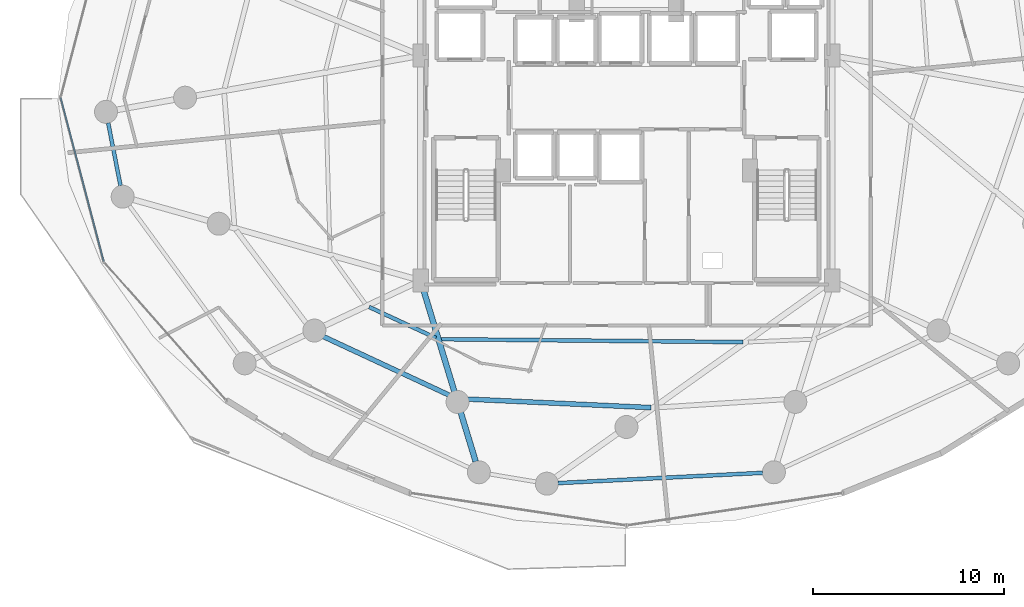
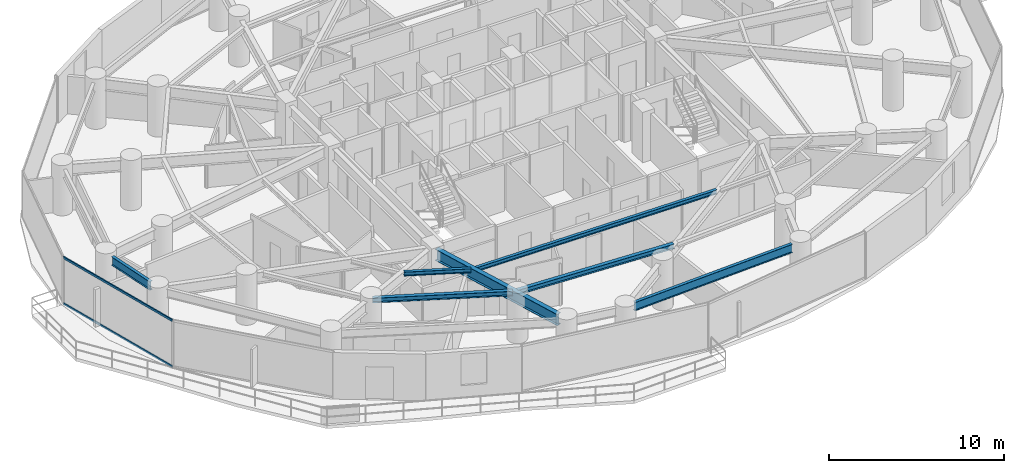
# One storey, part 6 of 30: 7 beams, 2 members, 1 element without a shape of its own.
"""IFC4 building model written with IfcOpenShell, lengths in metres."""

from ifc_helpers import new_model, si_unit, direction, frame, origin, origin_2d, place, context, subcontext, project, spatial, hollow_rectangle, i_section, extrude, material, material_profile, profile_set, type_object, element, aggregate, save


model = new_model("IFC4")

# Units and contexts
model_context = context("Model", 3, precision=1e-05, world=origin(), true_north=direction((0.0, 1.0)))
body_context = subcontext(model_context, "Body", "Model", "MODEL_VIEW")
ifc_project = project(units=[si_unit("LENGTHUNIT", "METRE"), si_unit("AREAUNIT", "SQUARE_METRE"), si_unit("VOLUMEUNIT", "CUBIC_METRE"), si_unit("PLANEANGLEUNIT", "RADIAN"), si_unit("MASSUNIT", "GRAM", prefix="KILO")], contexts=[model_context])

# Site, building, storey
site_placement = place(None, origin())
site = spatial("IfcSite", under=ifc_project, at=site_placement, CompositionType="ELEMENT")
building_placement = place(site_placement, origin())
building = spatial("IfcBuilding", under=site, at=building_placement, Name="Vorneva Point Tower", CompositionType="ELEMENT")
storey_placement = place(building_placement, frame((0.0, 0.0, 55.5)))
storey = spatial("IfcBuildingStorey", under=building, at=storey_placement, Name="L14", CompositionType="ELEMENT", Elevation=55.5)

# Beams
ifc_material_1 = material(Name="Steel S355", Category="steel")
ifc_material_profile_1 = material_profile(ifc_material_1, i_section(OverallWidth=0.300048828125, OverallDepth=0.7880859375, WebThickness=0.014404296875, FlangeThickness=0.02197265625, at=origin_2d()), Name="80Sh1")
ifc_profile_set_1 = profile_set([ifc_material_profile_1], Name="Steel S355")
beam_type_1 = type_object("IfcBeamType", Name="BM-GRD-80Sh1", PredefinedType="USERDEFINED", material=ifc_profile_set_1)
beam_1_placement = place(storey_placement, frame((30.125732421875, 6.997802734375, 2.845947265625), z_axis=(-0.29105061459, 0.956707656365, 0.0), x_axis=(-0.956707656365, -0.29105061459, 0.0)))
element("IfcBeam", 1, at=beam_1_placement, inside=storey, type_object=beam_type_1, Name="L14 Radial Primary Girder 12", ObjectType="GIRDER", PredefinedType="USERDEFINED", context=body_context, shape_type="SweptSolid", body=[
    extrude(i_section(OverallWidth=0.300048828125, OverallDepth=0.7880859375, WebThickness=0.014404296875, FlangeThickness=0.02197265625, at=origin_2d()), origin(), (0.0, 0.0, 1.0), 9.5400390625),
])
ifc_material_profile_2 = material_profile(ifc_material_1, i_section(OverallWidth=0.199951171875, OverallDepth=0.291015625, WebThickness=0.008056640625, FlangeThickness=0.010986328125, at=origin_2d()), Name="30Sh1")
ifc_profile_set_2 = profile_set([ifc_material_profile_2], Name="Steel S355")
beam_type_2 = type_object("IfcBeamType", Name="BM-SEC-30Sh1", PredefinedType="BEAM", material=ifc_profile_set_2)
beam_2_placement = place(storey_placement, frame((24.562744140625, 15.06787109375, 3.094482421875), z_axis=(0.906908671886, -0.421327260996, 0.0), x_axis=(0.421327260996, 0.906908671886, 0.0)))
element("IfcBeam", 2, at=beam_2_placement, inside=storey, type_object=beam_type_2, Name="L14 Secondary Floor Beam 2.11", PredefinedType="BEAM", context=body_context, shape_type="SweptSolid", body=[
    extrude(i_section(OverallWidth=0.199951171875, OverallDepth=0.291015625, WebThickness=0.008056640625, FlangeThickness=0.010986328125, at=origin_2d()), origin(), (0.0, 0.0, 1.0), 3.852783203125),
])
beam_3_placement = place(storey_placement, frame((28.320068359375, 13.38525390625, 3.094482421875), z_axis=(0.999953186731, -0.009675967514, 0.0), x_axis=(0.009675967514, 0.999953186731, 0.0)))
element("IfcBeam", 3, at=beam_3_placement, inside=storey, type_object=beam_type_2, Name="L14 Secondary Floor Beam 2.12", PredefinedType="BEAM", context=body_context, shape_type="SweptSolid", body=[
    extrude(i_section(OverallWidth=0.199951171875, OverallDepth=0.291015625, WebThickness=0.008056640625, FlangeThickness=0.010986328125, at=origin_2d()), origin(), (0.0, 0.0, 1.0), 15.769775390625),
])
ifc_material_profile_3 = material_profile(ifc_material_1, i_section(OverallWidth=0.2490234375, OverallDepth=0.333984375, WebThickness=0.008056640625, FlangeThickness=0.010986328125, at=origin_2d()), Name="35Sh1")
ifc_profile_set_3 = profile_set([ifc_material_profile_3], Name="Steel S355")
beam_type_3 = type_object("IfcBeamType", Name="BM-SEC-35Sh1", PredefinedType="BEAM", material=ifc_profile_set_3)
beam_4_placement = place(storey_placement, frame((21.72412109375, 13.731201171875, 3.072998046875), z_axis=(0.906496779904, -0.4222127284, 0.0), x_axis=(0.4222127284, 0.906496779904, 0.0)))
element("IfcBeam", 4, at=beam_4_placement, inside=storey, type_object=beam_type_3, Name="L14 Secondary Floor Beam 1.11", PredefinedType="BEAM", context=body_context, shape_type="SweptSolid", body=[
    extrude(i_section(OverallWidth=0.2490234375, OverallDepth=0.333984375, WebThickness=0.008056640625, FlangeThickness=0.010986328125, at=origin_2d()), origin(), (0.0, 0.0, 1.0), 8.02783203125),
])
beam_5_placement = place(storey_placement, frame((29.263916015625, 10.277099609375, 3.072998046875), z_axis=(0.998927512938, -0.046301445934, 0.0), x_axis=(0.046301445934, 0.998927512938, 0.0)))
element("IfcBeam", 5, at=beam_5_placement, inside=storey, type_object=beam_type_3, Name="L14 Secondary Floor Beam 1.12", PredefinedType="BEAM", context=body_context, shape_type="SweptSolid", body=[
    extrude(i_section(OverallWidth=0.2490234375, OverallDepth=0.333984375, WebThickness=0.008056640625, FlangeThickness=0.010986328125, at=origin_2d()), origin(), (0.0, 0.0, 1.0), 10.023681640625),
])
ifc_material_profile_4 = material_profile(ifc_material_1, i_section(OverallWidth=0.198974609375, OverallDepth=0.595947265625, WebThickness=0.010009765625, FlangeThickness=0.014892578125, at=origin_2d()), Name="60B1")
ifc_profile_set_4 = profile_set([ifc_material_profile_4], Name="Steel S355")
beam_type_4 = type_object("IfcBeamType", Name="BM-SPN-60B1", PredefinedType="SPANDREL", material=ifc_profile_set_4)
beam_6_placement = place(storey_placement, frame((10.9306640625, 24.68701171875, 2.94189453125), z_axis=(0.192691361054, -0.981259414923, 0.0), x_axis=(0.981259414923, 0.192691361054, 0.0)))
element("IfcBeam", 6, at=beam_6_placement, inside=storey, type_object=beam_type_4, Name="L14 Perimeter Spandrel Ring Beam 09", PredefinedType="SPANDREL", context=body_context, shape_type="SweptSolid", body=[
    extrude(i_section(OverallWidth=0.198974609375, OverallDepth=0.595947265625, WebThickness=0.010009765625, FlangeThickness=0.014892578125, at=origin_2d()), origin(), (0.0, 0.0, 1.0), 3.34619140625),
])
beam_7_placement = place(storey_placement, frame((34.4248046875, 5.869140625, 2.94189453125), z_axis=(0.998742254413, 0.050138899561, 0.0), x_axis=(-0.050138899561, 0.998742254413, 0.0)))
element("IfcBeam", 7, at=beam_7_placement, inside=storey, type_object=beam_type_4, Name="L14 Perimeter Spandrel Ring Beam 13", PredefinedType="SPANDREL", context=body_context, shape_type="SweptSolid", body=[
    extrude(i_section(OverallWidth=0.198974609375, OverallDepth=0.595947265625, WebThickness=0.010009765625, FlangeThickness=0.014892578125, at=origin_2d()), origin(), (0.0, 0.0, 1.0), 10.70751953125),
])

# Curtain wall, members
ifc_material_2 = material(Name="Pale anodised aluminium", Category="aluminium")
curtain_wall_type = type_object("IfcCurtainWallType", Name="CW-HTL-SYS", PredefinedType="NOTDEFINED", material=ifc_material_2)
curtain_wall_placement = place(storey_placement, origin())
curtain_wall = element("IfcCurtainWall", 8, at=curtain_wall_placement, inside=storey, type_object=curtain_wall_type, Name="L14 Unitised Curtain Wall CW-L14-R03", PredefinedType="NOTDEFINED")
ifc_material_profile_5 = material_profile(ifc_material_2, hollow_rectangle(XDim=0.074951171875, YDim=0.14990234375, WallThickness=0.00390625, at=origin_2d()), Name="AL-TRN 150x75x4")
ifc_profile_set_5 = profile_set([ifc_material_profile_5], Name="Pale anodised aluminium")
member_type = type_object("IfcMemberType", Name="CW-TRN-150", PredefinedType="USERDEFINED", material=ifc_profile_set_5)
member_1_placement = place(storey_placement, frame((8.449951171875, 26.0, 0.02001953125), z_axis=(0.254358772746, -0.967109928978, 0.0), x_axis=(0.967109928978, 0.254358772746, 0.0)))
member_1 = element("IfcMember", 9, at=member_1_placement, type_object=member_type, Name="CW-L14-R03 Transom 03.1", ObjectType="TRANSOM", PredefinedType="USERDEFINED", context=body_context, shape_type="SweptSolid", body=[
    extrude(hollow_rectangle(XDim=0.074951171875, YDim=0.14990234375, WallThickness=0.00390625, at=origin_2d()), origin(), (0.0, 0.0, 1.0), 8.84375),
])
member_2_placement = place(storey_placement, frame((8.449951171875, 26.0, 3.219970703125), z_axis=(0.254358772746, -0.967109928978, 0.0), x_axis=(0.967109928978, 0.254358772746, 0.0)))
member_2 = element("IfcMember", 10, at=member_2_placement, type_object=member_type, Name="CW-L14-R03 Transom 03.2", ObjectType="TRANSOM", PredefinedType="USERDEFINED", context=body_context, shape_type="SweptSolid", body=[
    extrude(hollow_rectangle(XDim=0.074951171875, YDim=0.14990234375, WallThickness=0.00390625, at=origin_2d()), origin(), (0.0, 0.0, 1.0), 8.84375),
])
aggregate(curtain_wall, [member_1, member_2])

save(model, "model.ifc")
